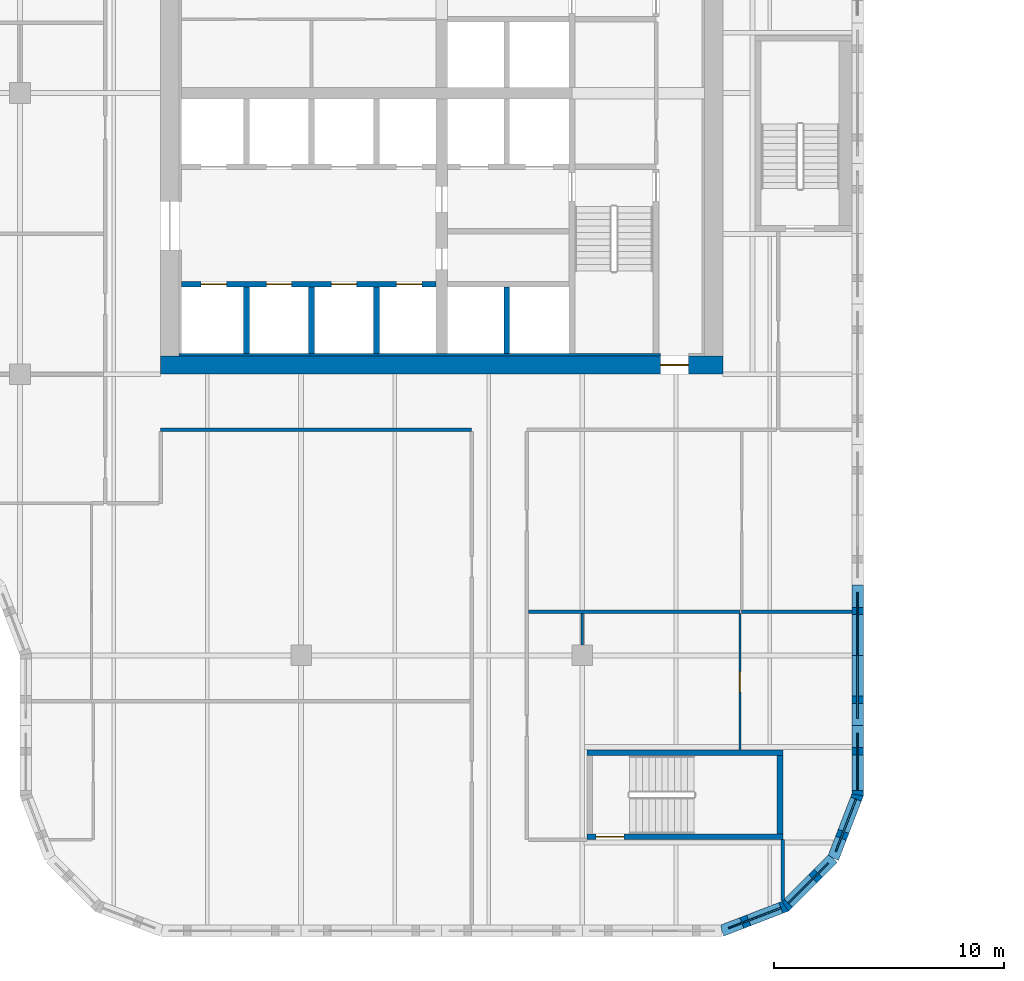
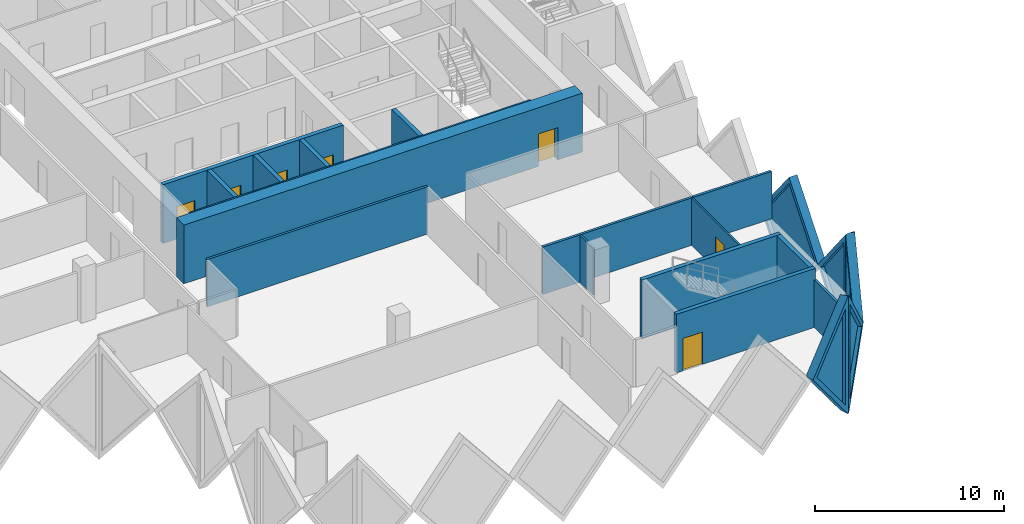
# One storey, part 6 of 19: 21 walls, 7 doors, 5 plates, 12 openings.
"""IFC4 building model written with IfcOpenShell, lengths in metres."""

import ifcopenshell
import ifcopenshell.guid

model = None  # the IFC model being written
_history = None  # IfcOwnerHistory: only IFC2X3 demands one
_inside = {}  # id of a spatial element -> (the spatial element, [elements in it])
_under = {}  # id of a project, library or spatial element -> (it, [spatial elements below it])
_declared = {}  # id of a project -> (the project, [libraries it declares])
_typed = {}  # id of a type object -> (the type object, [elements of that type])
_made_of = {}  # id of a material, layer set ... -> (it, [elements and type objects made of it])


def new_model(schema):
    """Start an empty IFC model of exactly this schema.

    Asked for "IFC4X3", IfcOpenShell would pick the latest addendum, in which some entities
    have other attributes; the version numbers below select the first issue.
    IFC2X3 requires an IfcOwnerHistory on every rooted entity: one is made here for all.
    """
    global model, _history
    if schema == "IFC4X3":
        model = ifcopenshell.file(schema_version=(4, 3, 0, 0))
    else:
        model = ifcopenshell.file(schema=schema)
    _inside.clear()
    _under.clear()
    _declared.clear()
    _typed.clear()
    _made_of.clear()
    _history = None
    if model.schema == "IFC2X3":
        org = make("IfcOrganization", Name="unknown")
        user = make(
            "IfcPersonAndOrganization",
            ThePerson=make("IfcPerson", FamilyName="unknown"),
            TheOrganization=org,
        )
        app = make(
            "IfcApplication",
            ApplicationDeveloper=org,
            Version="unknown",
            ApplicationFullName="unknown",
            ApplicationIdentifier="unknown",
        )
        _history = make(
            "IfcOwnerHistory",
            OwningUser=user,
            OwningApplication=app,
            ChangeAction="ADDED",
            CreationDate=0,
        )
    return model


def make(cls, **values):
    """One entity of the class cls with the attributes given. An attribute that is None is left unset."""
    return model.create_entity(
        cls, **{name: value for name, value in values.items() if value is not None}
    )


def rooted(cls, **values):
    """An entity with a GlobalId (a new one), such as an element, a storey or a relation."""
    return make(cls, GlobalId=ifcopenshell.guid.new(), OwnerHistory=_history, **values)


def si_unit(unit_type, name, prefix=None):
    """IfcSIUnit, for example si_unit("LENGTHUNIT", "METRE", prefix="MILLI")."""
    return make("IfcSIUnit", UnitType=unit_type, Prefix=prefix, Name=name)


def assignment(units):
    """IfcUnitAssignment: the units of a project."""
    return None if units is None else make("IfcUnitAssignment", Units=units)


def point(xyz):
    """IfcCartesianPoint."""
    return None if xyz is None else make("IfcCartesianPoint", Coordinates=xyz)


def direction(xyz):
    """IfcDirection."""
    return None if xyz is None else make("IfcDirection", DirectionRatios=xyz)


def frame(location, z_axis=None, x_axis=None):
    """IfcAxis2Placement3D, a coordinate frame: its origin and axes. An axis left out is left unset."""
    return make(
        "IfcAxis2Placement3D",
        Location=point(location),
        Axis=direction(z_axis),
        RefDirection=direction(x_axis),
    )


def frame_2d(location, x_axis=None):
    """IfcAxis2Placement2D, a coordinate frame in the plane: its origin and x axis."""
    return make(
        "IfcAxis2Placement2D", Location=point(location), RefDirection=direction(x_axis)
    )


def origin():
    """The frame at (0, 0, 0) with its axes left unset."""
    return frame((0.0, 0.0, 0.0))


def place(relative_to, where):
    """IfcLocalPlacement: puts the frame where relative to a parent placement (None: the world)."""
    return make(
        "IfcLocalPlacement", PlacementRelTo=relative_to, RelativePlacement=where
    )


def context(
    kind, dimensions, precision=None, world=None, true_north=None, identifier=None
):
    """IfcGeometricRepresentationContext, for example the 3D "Model" context."""
    return make(
        "IfcGeometricRepresentationContext",
        ContextIdentifier=identifier,
        ContextType=kind,
        CoordinateSpaceDimension=dimensions,
        Precision=precision,
        WorldCoordinateSystem=world,
        TrueNorth=true_north,
    )


def subcontext(parent, identifier, kind, view, scale=None):
    """IfcGeometricRepresentationSubContext, for example "Body" below "Model"."""
    return make(
        "IfcGeometricRepresentationSubContext",
        ContextIdentifier=identifier,
        ContextType=kind,
        ParentContext=parent,
        TargetScale=scale,
        TargetView=view,
    )


def project(units=None, contexts=None):
    """IfcProject with its units and contexts."""
    return rooted(
        "IfcProject",
        Name="project",
        RepresentationContexts=contexts,
        UnitsInContext=assignment(units),
    )


def spatial(cls, under=None, at=None, **own):
    """A site, building, storey or space (cls), placed at a placement, below another one or the project."""
    s = rooted(cls, ObjectPlacement=at, **own)
    if under is not None:
        _under.setdefault(under.id(), (under, []))[1].append(s)
    return s


def polyline(points):
    """IfcPolyline through the points."""
    return make("IfcPolyline", Points=[point(p) for p in points])


def profile(cls, at=None, kind="AREA", **sizes):
    """A parametric profile (cls). Its sizes go by their IFC names, for example OverallWidth=200.0."""
    return make(cls, ProfileType=kind, Position=at, **sizes)


def rectangle(**sizes):
    """IfcRectangleProfileDef."""
    return profile("IfcRectangleProfileDef", **sizes)


def outline(outer, holes=None, kind="AREA"):
    """IfcArbitraryClosedProfileDef: a profile drawn as a closed curve; with holes, ...WithVoids."""
    if holes is None:
        return make("IfcArbitraryClosedProfileDef", ProfileType=kind, OuterCurve=outer)
    return make(
        "IfcArbitraryProfileDefWithVoids",
        ProfileType=kind,
        OuterCurve=outer,
        InnerCurves=holes,
    )


def extrude(swept, where, along, depth):
    """IfcExtrudedAreaSolid: the profile swept, set in the frame where, extruded along a direction by depth."""
    return make(
        "IfcExtrudedAreaSolid",
        SweptArea=swept,
        Position=where,
        ExtrudedDirection=direction(along),
        Depth=depth,
    )


def faces_of(points, faces, orient=None, outer=None):
    """IfcFace entities. A face is a list of loops; a loop is a list of indices into points, from 0.

    orient and outer hold one flag for each loop. By default every Orientation is true, the
    first loop of a face is its IfcFaceOuterBound and the others are IfcFaceBound.
    """
    made = []
    for i, loops in enumerate(faces):
        bounds = []
        for j, loop in enumerate(loops):
            is_outer = j == 0 if outer is None else outer[i][j]
            bounds.append(
                make(
                    "IfcFaceOuterBound" if is_outer else "IfcFaceBound",
                    Bound=make("IfcPolyLoop", Polygon=[points[k] for k in loop]),
                    Orientation=True if orient is None else orient[i][j],
                )
            )
        made.append(make("IfcFace", Bounds=bounds))
    return made


def faceted_brep(points, faces, orient=None, outer=None, voids=None):
    """IfcFacetedBrep: a solid bounded by flat faces; with voids (closed shells), ...WithVoids."""
    shared = [point(p) for p in points]
    hull = make("IfcClosedShell", CfsFaces=faces_of(shared, faces, orient, outer))
    if voids is None:
        return make("IfcFacetedBrep", Outer=hull)
    return make(
        "IfcFacetedBrepWithVoids",
        Outer=hull,
        Voids=[
            make(cls, CfsFaces=faces_of(shared, fs, o, b)) for cls, fs, o, b in voids
        ],
    )


def shape(context_of_items, identifier, shape_type, items):
    """IfcShapeRepresentation: the items that make up one representation, for example the "Body"."""
    return make(
        "IfcShapeRepresentation",
        ContextOfItems=context_of_items,
        RepresentationIdentifier=identifier,
        RepresentationType=shape_type,
        Items=items,
    )


def source(mapping_origin, context_of_items, identifier, shape_type, items):
    """IfcRepresentationMap: a shape defined once, which mapped items show again and again."""
    return make(
        "IfcRepresentationMap",
        MappingOrigin=mapping_origin,
        MappedRepresentation=shape(context_of_items, identifier, shape_type, items),
    )


def transform(
    local_origin,
    x_axis=None,
    y_axis=None,
    z_axis=None,
    scale=None,
    scale2=None,
    scale3=None,
    uniform=True,
):
    """IfcCartesianTransformationOperator3D, or its non-uniform kind. x_axis, y_axis, z_axis: its Axis1, 2, 3."""
    if uniform:
        return make(
            "IfcCartesianTransformationOperator3D",
            Axis1=direction(x_axis),
            Axis2=direction(y_axis),
            LocalOrigin=point(local_origin),
            Scale=scale,
            Axis3=direction(z_axis),
        )
    return make(
        "IfcCartesianTransformationOperator3DnonUniform",
        Axis1=direction(x_axis),
        Axis2=direction(y_axis),
        LocalOrigin=point(local_origin),
        Scale=scale,
        Axis3=direction(z_axis),
        Scale2=scale2,
        Scale3=scale3,
    )


def mapped(mapping_source, mapping_target):
    """IfcMappedItem: shows the shape of a source again, moved by a transform."""
    return make(
        "IfcMappedItem", MappingSource=mapping_source, MappingTarget=mapping_target
    )


def material(Name=None, Category=None):
    """IfcMaterial."""
    return make("IfcMaterial", Name=Name, Category=Category)


def layer(
    of_material, thickness, ventilated=None, Name=None, Category=None, Priority=None
):
    """IfcMaterialLayer: one layer of a wall or slab, of a material (None: an air gap)."""
    return make(
        "IfcMaterialLayer",
        Material=of_material,
        LayerThickness=thickness,
        IsVentilated=ventilated,
        Name=Name,
        Category=Category,
        Priority=Priority,
    )


def layer_set(layers, Name=None):
    """IfcMaterialLayerSet."""
    return make("IfcMaterialLayerSet", MaterialLayers=layers, LayerSetName=Name)


def made_of(thing, what):
    """Note that an element or type object is made of a material, layer set ...; save() writes the relation."""
    if what is not None:
        _made_of.setdefault(what.id(), (what, []))[1].append(thing)
    return thing


def type_object(cls, material=None, **own):
    """A type object (cls), such as IfcWallType, which elements share."""
    return made_of(rooted(cls, **own), material)


def element(
    cls,
    number,
    at=None,
    inside=None,
    cuts=None,
    type_object=None,
    material=None,
    context=None,
    identifier="Body",
    shape_type=None,
    held_by="IfcProductDefinitionShape",
    body=None,
    shapes=None,
    **own,
):
    """One element of the class cls, such as IfcWall. Its Tag is "e" and its number.

    at: its placement. inside: the storey or other place that contains it. cuts: it is an
    opening in that element (IfcRelVoidsElement). A single representation is given by context,
    identifier, shape_type and body (its items); several are given by shapes. held_by: the class
    of the entity that holds the representations. save() writes the other relations.
    """
    e = rooted(cls, Tag="e%d" % number, ObjectPlacement=at, **own)
    if body is not None:
        shapes = [shape(context, identifier, shape_type, body)]
    if shapes is not None:
        e.Representation = make(held_by, Representations=shapes)
    if inside is not None:
        _inside.setdefault(inside.id(), (inside, []))[1].append(e)
    if cuts is not None:
        rooted(
            "IfcRelVoidsElement", RelatingBuildingElement=cuts, RelatedOpeningElement=e
        )
    if type_object is not None:
        _typed.setdefault(type_object.id(), (type_object, []))[1].append(e)
    return made_of(e, material)


def fill(opening, filler):
    """IfcRelFillsElement: the door or window that sits in an opening."""
    return rooted(
        "IfcRelFillsElement",
        RelatingOpeningElement=opening,
        RelatedBuildingElement=filler,
    )


def aggregate(whole, parts):
    """IfcRelAggregates: a whole, such as a stair, and the parts it consists of."""
    return rooted("IfcRelAggregates", RelatingObject=whole, RelatedObjects=parts)


def save(model, path):
    """Write the relations noted so far, then the file.

    IfcRelAggregates (storeys below a building ...), IfcRelContainedInSpatialStructure (elements
    in a storey), IfcRelDefinesByType, IfcRelAssociatesMaterial and IfcRelDeclares: one each for
    every whole, place, type object, material and project.
    """
    for whole, parts in _under.values():
        aggregate(whole, parts)
    for where, things in _inside.values():
        rooted(
            "IfcRelContainedInSpatialStructure",
            RelatedElements=things,
            RelatingStructure=where,
        )
    for kind, things in _typed.values():
        rooted("IfcRelDefinesByType", RelatedObjects=things, RelatingType=kind)
    for what, things in _made_of.values():
        rooted("IfcRelAssociatesMaterial", RelatedObjects=things, RelatingMaterial=what)
    for by, libraries in _declared.values():
        rooted("IfcRelDeclares", RelatingContext=by, RelatedDefinitions=libraries)
    model.write(path)


model = new_model("IFC4")

# Units and contexts
model_context = context("Model", 3, precision=1e-05, world=origin(), true_north=direction((0.0, 1.0)))
body_context = subcontext(model_context, "Body", "Model", "MODEL_VIEW")
ifc_project = project(units=[si_unit("LENGTHUNIT", "METRE"), si_unit("AREAUNIT", "SQUARE_METRE"), si_unit("VOLUMEUNIT", "CUBIC_METRE"), si_unit("PLANEANGLEUNIT", "RADIAN"), si_unit("MASSUNIT", "GRAM", prefix="KILO")], contexts=[model_context])

# Site, building, storey
site_placement = place(None, origin())
site = spatial("IfcSite", under=ifc_project, at=site_placement, CompositionType="ELEMENT")
building_placement = place(site_placement, origin())
building = spatial("IfcBuilding", under=site, at=building_placement, Name="Tessera Gate Towers", CompositionType="ELEMENT")
storey_placement = place(building_placement, frame((0.0, 0.0, 80.0)))
storey = spatial("IfcBuildingStorey", under=building, at=storey_placement, Name="L19", CompositionType="ELEMENT", Elevation=80.0)

# Wall, openings, doors
ifc_material_1 = material(Name="Concrete C40/50", Category="concrete")
ifc_layer_1 = layer(ifc_material_1, 0.25)
ifc_layer_set_1 = layer_set([ifc_layer_1], Name="CORE ENCLOSURE WALL 250")
wall_type_1 = type_object("IfcWallType", Name="CORE ENCLOSURE WALL 250", PredefinedType="SOLIDWALL", material=ifc_layer_set_1)
wall_1_placement = place(storey_placement, frame((31.39990234375, 28.300048828125, 0.0), z_axis=(0.0, 0.0, 1.0), x_axis=(1.0, 0.0, 0.0)))
wall_1 = element("IfcWall", 1, at=wall_1_placement, inside=storey, type_object=wall_type_1, Name="L19 shaft and stair enclosure wall", PredefinedType="SOLIDWALL", context=body_context, shape_type="SweptSolid", body=[
    extrude(rectangle(XDim=11.050048828125, YDim=0.25, at=frame_2d((5.52490234375, 0.0))), origin(), (0.0, 0.0, 1.0), 3.800048828125),
])
shared_shape_1 = source(origin(), body_context, "Body", "SweptSolid", [
    extrude(rectangle(XDim=1.10009765625, YDim=2.10009765625, at=frame_2d((0.550048828125, 1.050048828125))), frame((0.0, 0.135009765625, 0.0), z_axis=(0.0, -1.0, 0.0), x_axis=(1.0, 0.0, 0.0)), (0.0, 0.0, 1.0), 0.27001953125),
])
opening_1_placement = place(wall_1_placement, frame((0.862548828125, 0.0, 0.0)))
opening_1 = element("IfcOpeningElement", 2, at=opening_1_placement, cuts=wall_1, Name="Opening LD-LR1", PredefinedType="OPENING", context=body_context, shape_type="MappedRepresentation", body=[
    mapped(shared_shape_1, transform((0.0, 0.0, 0.0), scale=1.0)),
])
opening_2_placement = place(wall_1_placement, frame((3.6875, 0.0, 0.0)))
opening_2 = element("IfcOpeningElement", 3, at=opening_2_placement, cuts=wall_1, Name="Opening LD-LR2", PredefinedType="OPENING", context=body_context, shape_type="MappedRepresentation", body=[
    mapped(shared_shape_1, transform((0.0, 0.0, 0.0), scale=1.0)),
])
opening_3_placement = place(wall_1_placement, frame((6.512451171875, 0.0, 0.0)))
opening_3 = element("IfcOpeningElement", 4, at=opening_3_placement, cuts=wall_1, Name="Opening LD-LR3", PredefinedType="OPENING", context=body_context, shape_type="MappedRepresentation", body=[
    mapped(shared_shape_1, transform((0.0, 0.0, 0.0), scale=1.0)),
])
opening_4_placement = place(wall_1_placement, frame((9.33740234375, 0.0, 0.0)))
opening_4 = element("IfcOpeningElement", 5, at=opening_4_placement, cuts=wall_1, Name="Opening LD-LR4", PredefinedType="OPENING", context=body_context, shape_type="MappedRepresentation", body=[
    mapped(shared_shape_1, transform((0.0, 0.0, 0.0), scale=1.0)),
])
ifc_material_2 = material(Name="Stainless steel", Category="steel")
door_type_1 = type_object("IfcDoorType", Name="CORE DOOR LD 1100x2100", OperationType="DOUBLE_DOOR_SLIDING", PredefinedType="DOOR", material=ifc_material_2)
shared_shape_2 = source(origin(), body_context, "Body", "SweptSolid", [
    extrude(rectangle(XDim=1.10009765625, YDim=2.10009765625, at=frame_2d((0.550048828125, 1.050048828125))), frame((0.0, 0.02490234375, 0.0), z_axis=(0.0, -1.0, 0.0), x_axis=(1.0, 0.0, 0.0)), (0.0, 0.0, 1.0), 0.050048828125),
])
door_1_placement = place(opening_1_placement, origin())
door_1 = element("IfcDoor", 6, at=door_1_placement, inside=storey, type_object=door_type_1, Name="Landing door LR1 L19", OperationType="DOUBLE_DOOR_SLIDING", OverallHeight=2.10009765625, OverallWidth=1.10009765625, PredefinedType="DOOR", context=body_context, shape_type="MappedRepresentation", body=[
    mapped(shared_shape_2, transform((0.0, 0.0, 0.0), scale=1.0)),
])
fill(opening_1, door_1)
door_2_placement = place(opening_2_placement, origin())
door_2 = element("IfcDoor", 7, at=door_2_placement, inside=storey, type_object=door_type_1, Name="Landing door LR2 L19", OperationType="DOUBLE_DOOR_SLIDING", OverallHeight=2.10009765625, OverallWidth=1.10009765625, PredefinedType="DOOR", context=body_context, shape_type="MappedRepresentation", body=[
    mapped(shared_shape_2, transform((0.0, 0.0, 0.0), scale=1.0)),
])
fill(opening_2, door_2)
door_3_placement = place(opening_3_placement, origin())
door_3 = element("IfcDoor", 8, at=door_3_placement, inside=storey, type_object=door_type_1, Name="Landing door LR3 L19", OperationType="DOUBLE_DOOR_SLIDING", OverallHeight=2.10009765625, OverallWidth=1.10009765625, PredefinedType="DOOR", context=body_context, shape_type="MappedRepresentation", body=[
    mapped(shared_shape_2, transform((0.0, 0.0, 0.0), scale=1.0)),
])
fill(opening_3, door_3)
door_4_placement = place(opening_4_placement, origin())
door_4 = element("IfcDoor", 9, at=door_4_placement, inside=storey, type_object=door_type_1, Name="Landing door LR4 L19", OperationType="DOUBLE_DOOR_SLIDING", OverallHeight=2.10009765625, OverallWidth=1.10009765625, PredefinedType="DOOR", context=body_context, shape_type="MappedRepresentation", body=[
    mapped(shared_shape_2, transform((0.0, 0.0, 0.0), scale=1.0)),
])
fill(opening_4, door_4)

# Walls
for number, where, z_axis, x_axis, name in (
    (10, (34.22509765625, 25.300048828125, 0.0), (0.0, 0.0, 1.0), (0.0, 1.0, 0.0), "L19 shaft and stair enclosure wall"),
    (11, (37.050048828125, 25.300048828125, 0.0), (0.0, 0.0, 1.0), (0.0, 1.0, 0.0), "L19 shaft and stair enclosure wall"),
    (12, (39.875, 25.300048828125, 0.0), (0.0, 0.0, 1.0), (0.0, 1.0, 0.0), "L19 shaft and stair enclosure wall"),
    (13, (45.52490234375, 25.300048828125, 0.0), (0.0, 0.0, 1.0), (0.0, 1.0, 0.0), "L19 shaft and stair enclosure wall"),
):
    element("IfcWall", number, at=place(storey_placement, frame(where, z_axis=z_axis, x_axis=x_axis)), inside=storey, type_object=wall_type_1, Name=name, PredefinedType="SOLIDWALL", context=body_context, shape_type="SweptSolid", body=[
        extrude(rectangle(XDim=2.875, YDim=0.25, at=frame_2d((1.4375, 0.0))), origin(), (0.0, 0.0, 1.0), 3.800048828125),
    ])

# Wall, opening, door
wall_2_placement = place(storey_placement, frame((57.5, 4.324951171875, 0.0), z_axis=(0.0, 0.0, 1.0), x_axis=(-1.0, 0.0, 0.0)))
wall_2 = element("IfcWall", 14, at=wall_2_placement, inside=storey, type_object=wall_type_1, Name="L19 ST4 enclosure wall", PredefinedType="SOLIDWALL", context=body_context, shape_type="SweptSolid", body=[
    extrude(rectangle(XDim=8.5, YDim=0.25, at=frame_2d((4.25, 0.0))), origin(), (0.0, 0.0, 1.0), 3.800048828125),
])
shared_shape_3 = source(origin(), body_context, "Body", "SweptSolid", [
    extrude(rectangle(XDim=1.199951171875, YDim=2.10009765625, at=frame_2d((0.60009765625, 1.050048828125))), frame((0.0, 0.135009765625, 0.0), z_axis=(0.0, -1.0, 0.0), x_axis=(1.0, 0.0, 0.0)), (0.0, 0.0, 1.0), 0.27001953125),
])
opening_5_placement = place(wall_2_placement, frame((6.89990234375, 0.0, 0.0)))
opening_5 = element("IfcOpeningElement", 15, at=opening_5_placement, cuts=wall_2, Name="Opening SD-ST4-1", PredefinedType="OPENING", context=body_context, shape_type="MappedRepresentation", body=[
    mapped(shared_shape_3, transform((0.0, 0.0, 0.0), scale=1.0)),
])
ifc_material_3 = material(Name="Hollow steel fire door", Category="steel")
door_type_2 = type_object("IfcDoorType", Name="CORE DOOR SD 1200x2100", OperationType="NOTDEFINED", PredefinedType="DOOR", material=ifc_material_3)
shared_shape_4 = source(origin(), body_context, "Body", "SweptSolid", [
    extrude(rectangle(XDim=1.199951171875, YDim=2.10009765625, at=frame_2d((0.60009765625, 1.050048828125))), frame((0.0, 0.02490234375, 0.0), z_axis=(0.0, -1.0, 0.0), x_axis=(1.0, 0.0, 0.0)), (0.0, 0.0, 1.0), 0.050048828125),
])
door_5_placement = place(opening_5_placement, origin())
door_5 = element("IfcDoor", 16, at=door_5_placement, inside=storey, type_object=door_type_2, Name="Stair door", OperationType="SINGLE_SWING_RIGHT", OverallHeight=2.10009765625, OverallWidth=1.199951171875, PredefinedType="DOOR", context=body_context, shape_type="MappedRepresentation", body=[
    mapped(shared_shape_4, transform((0.0, 0.0, 0.0), scale=1.0)),
])
fill(opening_5, door_5)

# Walls
wall_3_placement = place(storey_placement, frame((49.0, 7.97509765625, 0.0), z_axis=(0.0, 0.0, 1.0), x_axis=(1.0, 0.0, 0.0)))
element("IfcWall", 17, at=wall_3_placement, inside=storey, type_object=wall_type_1, Name="L19 ST4 enclosure wall", PredefinedType="SOLIDWALL", context=body_context, shape_type="SweptSolid", body=[
    extrude(rectangle(XDim=8.5, YDim=0.25, at=frame_2d((4.25, 0.0))), origin(), (0.0, 0.0, 1.0), 3.800048828125),
])
wall_4_placement = place(storey_placement, frame((57.375, 7.85009765625, 0.0), z_axis=(0.0, 0.0, 1.0), x_axis=(0.0, -1.0, 0.0)))
element("IfcWall", 18, at=wall_4_placement, inside=storey, type_object=wall_type_1, Name="L19 ST4 enclosure wall", PredefinedType="SOLIDWALL", context=body_context, shape_type="SweptSolid", body=[
    extrude(rectangle(XDim=3.400146484375, YDim=0.25, at=frame_2d((1.7001953125, 0.0))), origin(), (0.0, 0.0, 1.0), 3.800048828125),
])

# Wall, opening, door
ifc_material_4 = material(Name="Concrete C60/75", Category="concrete")
ifc_layer_2 = layer(ifc_material_4, 0.800048828125)
ifc_layer_set_2 = layer_set([ifc_layer_2], Name="CORE SHEAR WALL 800 C60/75")
wall_type_2 = type_object("IfcWallType", Name="CORE SHEAR WALL 800 C60/75", PredefinedType="SHEAR", material=ifc_layer_set_2)
wall_5_placement = place(storey_placement, frame((54.89990234375, 24.800048828125, 0.0), z_axis=(0.0, 0.0, 1.0), x_axis=(-1.0, 0.0, 0.0)))
wall_5 = element("IfcWall", 19, at=wall_5_placement, inside=storey, type_object=wall_type_2, Name="Core wall S L19", PredefinedType="SHEAR", context=body_context, shape_type="SweptSolid", body=[
    extrude(rectangle(XDim=24.39990234375, YDim=0.800048828125, at=frame_2d((12.199951171875, 0.0))), origin(), (0.0, 0.0, 1.0), 3.800048828125),
])
shared_shape_5 = source(origin(), body_context, "Body", "SweptSolid", [
    extrude(rectangle(XDim=1.199951171875, YDim=2.10009765625, at=frame_2d((0.60009765625, 1.050048828125))), frame((0.0, 0.409912109375, 0.0), z_axis=(0.0, -1.0, 0.0), x_axis=(1.0, 0.0, 0.0)), (0.0, 0.0, 1.0), 0.820068359375),
])
opening_6_placement = place(wall_5_placement, frame((1.5, 0.0, 0.0)))
opening_6 = element("IfcOpeningElement", 20, at=opening_6_placement, cuts=wall_5, Name="Opening ED-T1-14-01", PredefinedType="OPENING", context=body_context, shape_type="MappedRepresentation", body=[
    mapped(shared_shape_5, transform((0.0, 0.0, 0.0), scale=1.0)),
])
ifc_material_5 = material(Name="Hollow steel fire door", Category="steel")
door_type_3 = type_object("IfcDoorType", Name="CORE DOOR ED 1200x2100", OperationType="NOTDEFINED", PredefinedType="DOOR", material=ifc_material_5)
door_6_placement = place(opening_6_placement, origin())
door_6 = element("IfcDoor", 21, at=door_6_placement, inside=storey, type_object=door_type_3, Name="Core exit door", OperationType="SINGLE_SWING_LEFT", OverallHeight=2.10009765625, OverallWidth=1.199951171875, PredefinedType="DOOR", context=body_context, shape_type="MappedRepresentation", body=[
    mapped(shared_shape_4, transform((0.0, 0.0, 0.0), scale=1.0)),
])
fill(opening_6, door_6)

# Walls
ifc_material_6 = material(Name="Concrete C60/75", Category="concrete")
ifc_layer_3 = layer(ifc_material_6, 0.10009765625)
ifc_layer_set_3 = layer_set([ifc_layer_3], Name="CORE WALL THICKENING 100")
wall_type_3 = type_object("IfcWallType", Name="CORE WALL THICKENING 100", PredefinedType="SOLIDWALL", material=ifc_layer_set_3)
wall_6_placement = place(storey_placement, frame((31.300048828125, 25.25, 0.0), z_axis=(0.0, 0.0, 1.0), x_axis=(1.0, 0.0, 0.0)))
element("IfcWall", 22, at=wall_6_placement, inside=storey, type_object=wall_type_3, Name="Core wall thickening S L19", PredefinedType="SOLIDWALL", context=body_context, shape_type="SweptSolid", body=[
    extrude(rectangle(XDim=20.89990234375, YDim=0.10009765625, at=frame_2d((10.449951171875, 0.0))), origin(), (0.0, 0.0, 1.0), 3.800048828125),
])
ifc_material_7 = material(Name="Gypsum board on steel studs, mineral wool", Category="steel")
ifc_layer_4 = layer(ifc_material_7, 0.14990234375)
ifc_layer_set_4 = layer_set([ifc_layer_4], Name="CORRIDOR WALL 150")
wall_type_4 = type_object("IfcWallType", Name="CORRIDOR WALL 150", PredefinedType="PARTITIONING", material=ifc_layer_set_4)
wall_7_placement = place(storey_placement, frame((57.5, 1.55908203125, 0.0), z_axis=(0.0, 0.0, 1.0), x_axis=(0.0, 1.0, 0.0)))
element("IfcWall", 23, at=wall_7_placement, inside=storey, type_object=wall_type_4, Name="T1-L19-PW-002", PredefinedType="PARTITIONING", context=body_context, shape_type="SweptSolid", body=[
    extrude(rectangle(XDim=2.640869140625, YDim=0.14990234375, at=frame_2d((1.3203125, 0.0))), origin(), (0.0, 0.0, 1.0), 3.06689453125),
])
wall_8_placement = place(storey_placement, frame((30.5, 22.0, 0.0), z_axis=(0.0, 0.0, 1.0), x_axis=(1.0, 0.0, 0.0)))
element("IfcWall", 24, at=wall_8_placement, inside=storey, type_object=wall_type_4, Name="T1-L19-PW-022", PredefinedType="PARTITIONING", context=body_context, shape_type="SweptSolid", body=[
    extrude(rectangle(XDim=13.5, YDim=0.14990234375, at=frame_2d((6.75, 0.0))), origin(), (0.0, 0.0, 1.0), 3.06689453125),
])

# Wall, opening, door
ifc_material_8 = material(Name="Glass", Category="glass")
ifc_layer_5 = layer(ifc_material_8, 0.10009765625)
ifc_layer_set_5 = layer_set([ifc_layer_5], Name="GLAZED PARTITION 100")
wall_type_5 = type_object("IfcWallType", Name="GLAZED PARTITION 100", PredefinedType="PARTITIONING", material=ifc_layer_set_5)
wall_9_placement = place(storey_placement, frame((55.639892578125, 14.02392578125, 0.0), z_axis=(0.0, 0.0, 1.0), x_axis=(0.0, -1.0, 0.0)))
wall_9 = element("IfcWall", 25, at=wall_9_placement, inside=storey, type_object=wall_type_5, Name="T1-L19-PW-007", PredefinedType="PARTITIONING", context=body_context, shape_type="SweptSolid", body=[
    extrude(rectangle(XDim=5.923828125, YDim=0.10009765625, at=frame_2d((2.9619140625, 0.0))), origin(), (0.0, 0.0, 1.0), 3.06689453125),
])
shared_shape_6 = source(origin(), body_context, "Body", "SweptSolid", [
    extrude(rectangle(XDim=0.89990234375, YDim=2.10009765625, at=frame_2d((0.449951171875, 1.050048828125))), frame((0.0, 0.06005859375, 0.0), z_axis=(0.0, -1.0, 0.0), x_axis=(1.0, 0.0, 0.0)), (0.0, 0.0, 1.0), 0.1201171875),
])
opening_7_placement = place(wall_9_placement, frame((2.52392578125, 0.0, 0.0)))
opening_7 = element("IfcOpeningElement", 26, at=opening_7_placement, cuts=wall_9, Name="Opening D690-A07-03", PredefinedType="OPENING", context=body_context, shape_type="MappedRepresentation", body=[
    mapped(shared_shape_6, transform((0.0, 0.0, 0.0), scale=1.0)),
])
ifc_material_9 = material(Name="Glass in aluminium frame", Category="aluminium")
door_type_4 = type_object("IfcDoorType", Name="GLAZED DOOR 900 NOT RATED", OperationType="NOTDEFINED", PredefinedType="DOOR", material=ifc_material_9)
shared_shape_7 = source(origin(), body_context, "Body", "SweptSolid", [
    extrude(rectangle(XDim=0.89990234375, YDim=2.10009765625, at=frame_2d((0.449951171875, 1.050048828125))), frame((0.0, 0.02490234375, 0.0), z_axis=(0.0, -1.0, 0.0), x_axis=(1.0, 0.0, 0.0)), (0.0, 0.0, 1.0), 0.050048828125),
])
door_7_placement = place(opening_7_placement, origin())
door_7 = element("IfcDoor", 27, at=door_7_placement, inside=storey, type_object=door_type_4, Name="T1-L19-PD-007", OperationType="SINGLE_SWING_RIGHT", OverallHeight=2.10009765625, OverallWidth=0.89990234375, PredefinedType="DOOR", context=body_context, shape_type="MappedRepresentation", body=[
    mapped(shared_shape_7, transform((0.0, 0.0, 0.0), scale=1.0)),
])
fill(opening_7, door_7)

# Walls
ifc_material_10 = material(Name="Gypsum board on steel studs", Category="steel")
ifc_layer_6 = layer(ifc_material_10, 0.10009765625)
ifc_layer_set_6 = layer_set([ifc_layer_6], Name="PARTITION 100")
wall_type_6 = type_object("IfcWallType", Name="PARTITION 100", PredefinedType="PARTITIONING", material=ifc_layer_set_6)
wall_10_placement = place(storey_placement, frame((48.800048828125, 12.64990234375, 0.0), z_axis=(0.0, 0.0, 1.0), x_axis=(0.0, 1.0, 0.0)))
element("IfcWall", 28, at=wall_10_placement, inside=storey, type_object=wall_type_6, Name="T1-L19-PW-011", PredefinedType="PARTITIONING", context=body_context, shape_type="SweptSolid", body=[
    extrude(rectangle(XDim=1.375, YDim=0.10009765625, at=frame_2d((0.6875, 0.0))), origin(), (0.0, 0.0, 1.0), 3.06689453125),
])
ifc_material_11 = material(Name="Gypsum board on steel studs, mineral wool", Category="steel")
ifc_layer_7 = layer(ifc_material_11, 0.14990234375)
ifc_layer_set_7 = layer_set([ifc_layer_7], Name="TENANCY WALL 150")
wall_type_7 = type_object("IfcWallType", Name="TENANCY WALL 150", PredefinedType="PARTITIONING", material=ifc_layer_set_7)
wall_11_placement = place(storey_placement, frame((46.47607421875, 14.10009765625, 0.0), z_axis=(0.0, 0.0, 1.0), x_axis=(1.0, 0.0, 0.0)))
element("IfcWall", 29, at=wall_11_placement, inside=storey, type_object=wall_type_7, Name="T1-L19-PW-012", PredefinedType="PARTITIONING", context=body_context, shape_type="SweptSolid", body=[
    extrude(rectangle(XDim=9.163818359375, YDim=0.14990234375, at=frame_2d((4.58203125, 0.0))), origin(), (0.0, 0.0, 1.0), 3.06689453125),
])
wall_12_placement = place(storey_placement, frame((55.715087890625, 14.10009765625, 0.0), z_axis=(0.0, 0.0, 1.0), x_axis=(1.0, 0.0, 0.0)))
element("IfcWall", 30, at=wall_12_placement, inside=storey, type_object=wall_type_7, Name="T1-L19-PW-013", PredefinedType="PARTITIONING", context=body_context, shape_type="SweptSolid", body=[
    extrude(rectangle(XDim=4.784912109375, YDim=0.14990234375, at=frame_2d((2.392578125, 0.0))), origin(), (0.0, 0.0, 1.0), 3.06689453125),
])

# Wall, opening, plate
ifc_material_12 = material(Name="Precast concrete C60/75 white", Category="concrete")
ifc_layer_8 = layer(ifc_material_12, 0.5)
ifc_layer_set_8 = layer_set([ifc_layer_8], Name="TS1 tessera")
wall_type_8 = type_object("IfcWallType", Name="TS1 tessera", PredefinedType="SOLIDWALL", material=ifc_layer_set_8)
shared_shape_8 = source(origin(), body_context, "Body", "SweptSolid", [
    extrude(outline(polyline([(3.050048828125, 0.0), (6.10009765625, 3.800048828125), (3.050048828125, 7.60009765625), (0.0, 3.800048828125), (3.050048828125, 0.0)])), frame((0.0, 0.25, 0.0), z_axis=(0.0, -1.0, 0.0), x_axis=(1.0, 0.0, 0.0)), (0.0, 0.0, 1.0), 0.5),
])
wall_13_placement = place(storey_placement, frame((60.75, 9.14990234375, -3.800048828125), z_axis=(0.0, 0.0, 1.0), x_axis=(0.0, 1.0, 0.0)))
wall_13 = element("IfcWall", 31, at=wall_13_placement, inside=storey, type_object=wall_type_8, Name="Precast tessera T1 TS1-0280", PredefinedType="SOLIDWALL", context=body_context, shape_type="MappedRepresentation", body=[
    mapped(shared_shape_8, transform((0.0, 0.0, 0.0), scale=1.0)),
])
shared_shape_9 = source(origin(), body_context, "Body", "SweptSolid", [
    extrude(outline(polyline([(3.050048828125, 0.3994140625), (5.779541015625, 3.800048828125), (3.050048828125, 7.20068359375), (0.320556640625, 3.800048828125), (3.050048828125, 0.3994140625)])), frame((0.0, 0.260009765625, 0.0), z_axis=(0.0, -1.0, 0.0), x_axis=(1.0, 0.0, 0.0)), (0.0, 0.0, 1.0), 0.52001953125),
])
opening_8_placement = place(wall_13_placement, origin())
opening_8 = element("IfcOpeningElement", 32, at=opening_8_placement, cuts=wall_13, Name="Opening T1-PL2-0572", PredefinedType="OPENING", context=body_context, shape_type="MappedRepresentation", body=[
    mapped(shared_shape_9, transform((0.0, 0.0, 0.0), scale=1.0)),
])
ifc_material_13 = material(Name="Low-e laminated glass", Category="glass")
ifc_layer_9 = layer(ifc_material_13, 0.06005859375)
ifc_layer_set_9 = layer_set([ifc_layer_9], Name="PL2 rhombic pane")
plate_type = type_object("IfcPlateType", Name="PL2 rhombic pane", PredefinedType="SHEET", material=ifc_layer_set_9)
shared_shape_10 = source(origin(), body_context, "Body", "SweptSolid", [
    extrude(outline(polyline([(3.050048828125, 0.3994140625), (5.779541015625, 3.800048828125), (3.050048828125, 7.20068359375), (0.320556640625, 3.800048828125), (3.050048828125, 0.3994140625)])), frame((0.0, 0.030029296875, 0.0), z_axis=(0.0, -1.0, 0.0), x_axis=(1.0, 0.0, 0.0)), (0.0, 0.0, 1.0), 0.06005859375),
])
plate_1_placement = place(opening_8_placement, origin())
plate_1 = element("IfcPlate", 33, at=plate_1_placement, inside=storey, type_object=plate_type, Name="Glass pane T1 PL2-0572", PredefinedType="SHEET", context=body_context, shape_type="MappedRepresentation", body=[
    mapped(shared_shape_10, transform((0.0, 0.0, 0.0), scale=1.0)),
])
fill(opening_8, plate_1)

ifc_material_14 = material(Name="Precast concrete C60/75 white", Category="concrete")
ifc_layer_10 = layer(ifc_material_14, 0.5)
ifc_layer_set_10 = layer_set([ifc_layer_10], Name="TS3 corner tessera")
wall_type_9 = type_object("IfcWallType", Name="TS3 corner tessera", PredefinedType="SOLIDWALL", material=ifc_layer_set_10)
shared_shape_11 = source(origin(), body_context, "Body", "Brep", [
    faceted_brep([(2.950439453125, -0.25, 0.0), (3.00341796875, -0.25, 0.068359375), (3.00341796875, -0.25, 7.53173828125), (2.950439453125, -0.25, 7.60009765625), (0.0, -0.25, 3.800048828125), (0.046630859375, 0.25, 3.860107421875), (2.897705078125, 0.25, 7.531982421875), (2.897705078125, 0.25, 0.068115234375), (0.046630859375, 0.25, 3.739990234375), (2.950439453125, 0.00048828125, 0.0), (2.950439453125, 0.00048828125, 7.60009765625), (0.0, 0.0, 3.800048828125)], [[[0, 1, 2, 3, 4]], [[5, 6, 7, 8]], [[1, 0, 9]], [[10, 3, 2]], [[6, 5, 11, 4, 3, 10]], [[8, 7, 9, 0, 4, 11]], [[8, 11, 5]], [[1, 9, 7, 6, 10, 2]]]),
])
wall_14_placement = place(storey_placement, frame((54.853515625, 0.25, -3.800048828125), z_axis=(0.0, 0.0, 1.0), x_axis=(0.932970071518, 0.359953949349, 0.0)))
wall_14 = element("IfcWall", 34, at=wall_14_placement, inside=storey, type_object=wall_type_9, Name="Precast corner tessera T1 TS3-0409", PredefinedType="SOLIDWALL", context=body_context, shape_type="MappedRepresentation", body=[
    mapped(shared_shape_11, transform((0.0, 0.0, 0.0), scale=1.0)),
])
shared_shape_12 = source(origin(), body_context, "Body", "SweptSolid", [
    extrude(outline(polyline([(2.75048828125, 6.934814453125), (0.31640625, 3.800048828125), (2.75048828125, 0.665283203125), (2.75048828125, 6.934814453125)])), frame((0.0, 0.260009765625, 0.0), z_axis=(0.0, -1.0, 0.0), x_axis=(1.0, 0.0, 0.0)), (0.0, 0.0, 1.0), 0.52001953125),
])
opening_9_placement = place(wall_14_placement, origin())
opening_9 = element("IfcOpeningElement", 35, at=opening_9_placement, cuts=wall_14, Name="Opening T1-PL2-0568", PredefinedType="OPENING", context=body_context, shape_type="MappedRepresentation", body=[
    mapped(shared_shape_12, transform((0.0, 0.0, 0.0), scale=1.0)),
])
shared_shape_13 = source(origin(), body_context, "Body", "SweptSolid", [
    extrude(outline(polyline([(2.75048828125, 6.934814453125), (0.31640625, 3.800048828125), (2.75048828125, 0.665283203125), (2.75048828125, 6.934814453125)])), frame((0.0, 0.030029296875, 0.0), z_axis=(0.0, -1.0, 0.0), x_axis=(1.0, 0.0, 0.0)), (0.0, 0.0, 1.0), 0.06005859375),
])
plate_2_placement = place(opening_9_placement, origin())
plate_2 = element("IfcPlate", 36, at=plate_2_placement, inside=storey, type_object=plate_type, Name="Glass pane T1 PL2-0568", PredefinedType="SHEET", context=body_context, shape_type="MappedRepresentation", body=[
    mapped(shared_shape_13, transform((0.0, 0.0, 0.0), scale=1.0)),
])
fill(opening_9, plate_2)

shared_shape_14 = source(origin(), body_context, "Body", "Brep", [
    faceted_brep([(0.052978515625, -0.25, 0.0), (2.9970703125, -0.25, 3.800048828125), (0.052978515625, -0.25, 7.60009765625), (0.0, -0.25, 7.531982421875), (0.0, -0.25, 0.068115234375), (0.10595703125, 0.25, 7.53173828125), (2.944091796875, 0.25, 3.8681640625), (2.944091796875, 0.25, 3.73193359375), (0.10595703125, 0.25, 0.068359375), (2.9970703125, 0.000244140625, 3.800048828125), (0.052978515625, 0.0, 0.0), (0.052978515625, 0.0, 7.60009765625)], [[[0, 1, 2, 3, 4]], [[5, 6, 7, 8]], [[8, 7, 9, 1, 0, 10]], [[6, 5, 11, 2, 1, 9]], [[3, 2, 11]], [[10, 0, 4]], [[8, 10, 4, 3, 11, 5]], [[9, 7, 6]]]),
])
wall_15_placement = place(storey_placement, frame((57.56884765625, 1.2744140625, -3.800048828125), z_axis=(0.0, 0.0, 1.0), x_axis=(0.707066050402, 0.707147509625, 0.0)))
wall_15 = element("IfcWall", 37, at=wall_15_placement, inside=storey, type_object=wall_type_9, Name="Precast corner tessera T1 TS3-0410", PredefinedType="SOLIDWALL", context=body_context, shape_type="MappedRepresentation", body=[
    mapped(shared_shape_14, transform((0.0, 0.0, 0.0), scale=1.0)),
])
shared_shape_15 = source(origin(), body_context, "Body", "SweptSolid", [
    extrude(outline(polyline([(0.2529296875, 0.666259765625), (2.680908203125, 3.800048828125), (0.2529296875, 6.933837890625), (0.2529296875, 0.666259765625)])), frame((0.0, 0.260009765625, 0.0), z_axis=(0.0, -1.0, 0.0), x_axis=(1.0, 0.0, 0.0)), (0.0, 0.0, 1.0), 0.52001953125),
])
opening_10_placement = place(wall_15_placement, origin())
opening_10 = element("IfcOpeningElement", 38, at=opening_10_placement, cuts=wall_15, Name="Opening T1-PL2-0569", PredefinedType="OPENING", context=body_context, shape_type="MappedRepresentation", body=[
    mapped(shared_shape_15, transform((0.0, 0.0, 0.0), scale=1.0)),
])
shared_shape_16 = source(origin(), body_context, "Body", "SweptSolid", [
    extrude(outline(polyline([(0.2529296875, 0.666259765625), (2.680908203125, 3.800048828125), (0.2529296875, 6.933837890625), (0.2529296875, 0.666259765625)])), frame((0.0, 0.030029296875, 0.0), z_axis=(0.0, -1.0, 0.0), x_axis=(1.0, 0.0, 0.0)), (0.0, 0.0, 1.0), 0.06005859375),
])
plate_3_placement = place(opening_10_placement, origin())
plate_3 = element("IfcPlate", 39, at=plate_3_placement, inside=storey, type_object=plate_type, Name="Glass pane T1 PL2-0569", PredefinedType="SHEET", context=body_context, shape_type="MappedRepresentation", body=[
    mapped(shared_shape_16, transform((0.0, 0.0, 0.0), scale=1.0)),
])
fill(opening_10, plate_3)

shared_shape_17 = source(origin(), body_context, "Body", "Brep", [
    faceted_brep([(2.950439453125, -0.25, 0.0), (2.9970703125, -0.25, 0.05908203125), (2.9970703125, -0.25, 7.541015625), (2.950439453125, -0.25, 7.60009765625), (0.0, -0.25, 3.800048828125), (0.052978515625, 0.25, 3.8681640625), (2.904052734375, 0.25, 7.540283203125), (2.904052734375, 0.25, 0.059814453125), (0.052978515625, 0.25, 3.73193359375), (2.950439453125, 0.00048828125, 0.0), (2.950439453125, 0.00048828125, 7.60009765625), (0.0, 0.0, 3.800048828125)], [[[0, 1, 2, 3, 4]], [[5, 6, 7, 8]], [[1, 0, 9]], [[10, 3, 2]], [[6, 5, 11, 4, 3, 10]], [[8, 7, 9, 0, 4, 11]], [[8, 11, 5]], [[1, 9, 7, 6, 10, 2]]]),
])
wall_16_placement = place(storey_placement, frame((59.68798828125, 3.393798828125, -3.800048828125), z_axis=(0.0, 0.0, 1.0), x_axis=(0.359972353723, 0.932962970624, 0.0)))
wall_16 = element("IfcWall", 40, at=wall_16_placement, inside=storey, type_object=wall_type_9, Name="Precast corner tessera T1 TS3-0411", PredefinedType="SOLIDWALL", context=body_context, shape_type="MappedRepresentation", body=[
    mapped(shared_shape_17, transform((0.0, 0.0, 0.0), scale=1.0)),
])
opening_11_placement = place(wall_16_placement, origin())
opening_11 = element("IfcOpeningElement", 41, at=opening_11_placement, cuts=wall_16, Name="Opening T1-PL2-0570", PredefinedType="OPENING", context=body_context, shape_type="MappedRepresentation", body=[
    mapped(shared_shape_12, transform((0.0, 0.0, 0.0), scale=1.0)),
])
plate_4_placement = place(opening_11_placement, origin())
plate_4 = element("IfcPlate", 42, at=plate_4_placement, inside=storey, type_object=plate_type, Name="Glass pane T1 PL2-0570", PredefinedType="SHEET", context=body_context, shape_type="MappedRepresentation", body=[
    mapped(shared_shape_13, transform((0.0, 0.0, 0.0), scale=1.0)),
])
fill(opening_11, plate_4)

shared_shape_18 = source(origin(), body_context, "Body", "Brep", [
    faceted_brep([(0.046630859375, -0.25, 0.0), (3.050048828125, -0.25, 3.800048828125), (0.046630859375, -0.25, 7.60009765625), (0.0, -0.25, 7.5400390625), (0.0, -0.25, 0.06005859375), (0.09326171875, 0.25, 7.541259765625), (3.050048828125, 0.25, 3.800048828125), (0.09326171875, 0.25, 0.058837890625), (0.046630859375, 0.0, 0.0), (0.046630859375, 0.0, 7.60009765625)], [[[0, 1, 2, 3, 4]], [[5, 6, 7]], [[7, 6, 1, 0, 8]], [[6, 5, 9, 2, 1]], [[3, 2, 9]], [[8, 0, 4]], [[7, 8, 4, 3, 9, 5]]]),
])
wall_17_placement = place(storey_placement, frame((60.75, 6.099853515625, -3.800048828125), z_axis=(0.0, 0.0, 1.0), x_axis=(0.0, 1.0, 0.0)))
wall_17 = element("IfcWall", 43, at=wall_17_placement, inside=storey, type_object=wall_type_9, Name="Precast corner tessera T1 TS3-0412", PredefinedType="SOLIDWALL", context=body_context, shape_type="MappedRepresentation", body=[
    mapped(shared_shape_18, transform((0.0, 0.0, 0.0), scale=1.0)),
])
shared_shape_19 = source(origin(), body_context, "Body", "SweptSolid", [
    extrude(outline(polyline([(0.24658203125, 0.65625), (2.7314453125, 3.800048828125), (0.24658203125, 6.94384765625), (0.24658203125, 0.65625)])), frame((0.0, 0.260009765625, 0.0), z_axis=(0.0, -1.0, 0.0), x_axis=(1.0, 0.0, 0.0)), (0.0, 0.0, 1.0), 0.52001953125),
])
opening_12_placement = place(wall_17_placement, origin())
opening_12 = element("IfcOpeningElement", 44, at=opening_12_placement, cuts=wall_17, Name="Opening T1-PL2-0571", PredefinedType="OPENING", context=body_context, shape_type="MappedRepresentation", body=[
    mapped(shared_shape_19, transform((0.0, 0.0, 0.0), scale=1.0)),
])
shared_shape_20 = source(origin(), body_context, "Body", "SweptSolid", [
    extrude(outline(polyline([(0.24658203125, 0.65625), (2.7314453125, 3.800048828125), (0.24658203125, 6.94384765625), (0.24658203125, 0.65625)])), frame((0.0, 0.030029296875, 0.0), z_axis=(0.0, -1.0, 0.0), x_axis=(1.0, 0.0, 0.0)), (0.0, 0.0, 1.0), 0.06005859375),
])
plate_5_placement = place(opening_12_placement, origin())
plate_5 = element("IfcPlate", 45, at=plate_5_placement, inside=storey, type_object=plate_type, Name="Glass pane T1 PL2-0571", PredefinedType="SHEET", context=body_context, shape_type="MappedRepresentation", body=[
    mapped(shared_shape_20, transform((0.0, 0.0, 0.0), scale=1.0)),
])
fill(opening_12, plate_5)

save(model, "model.ifc")
